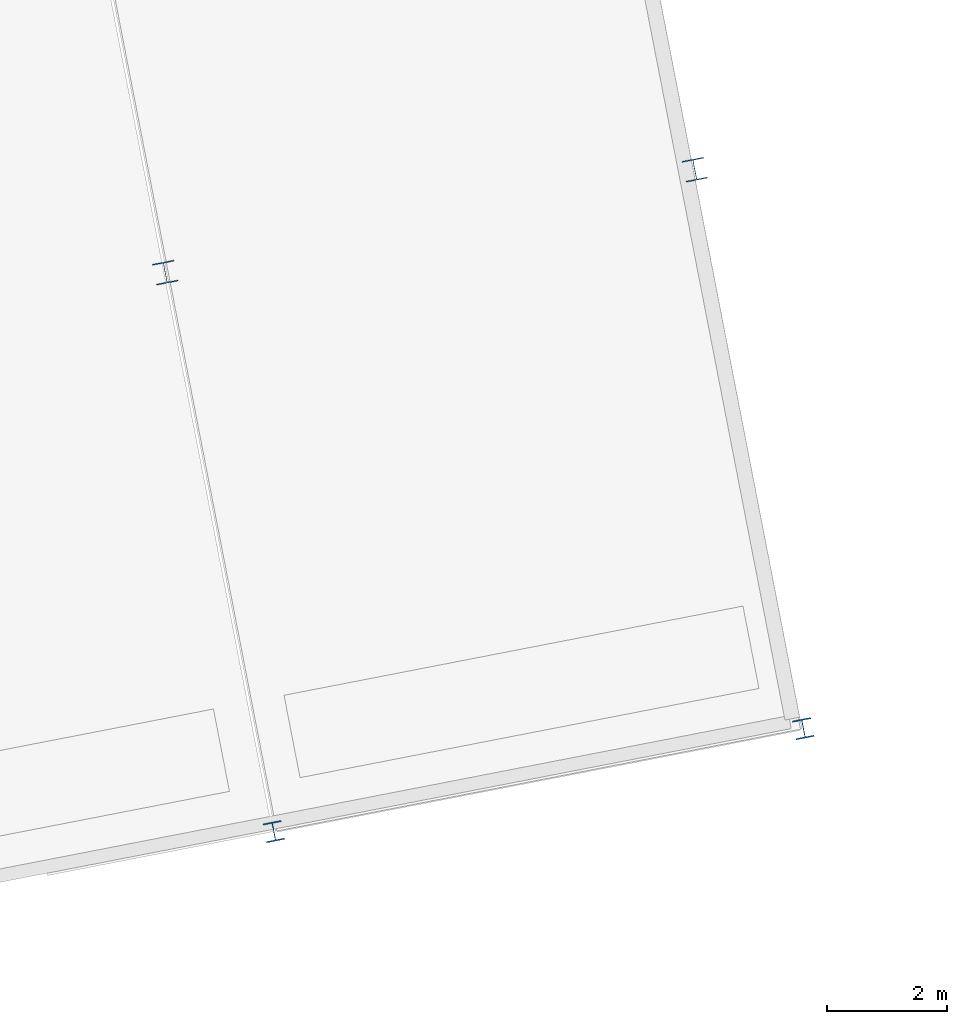
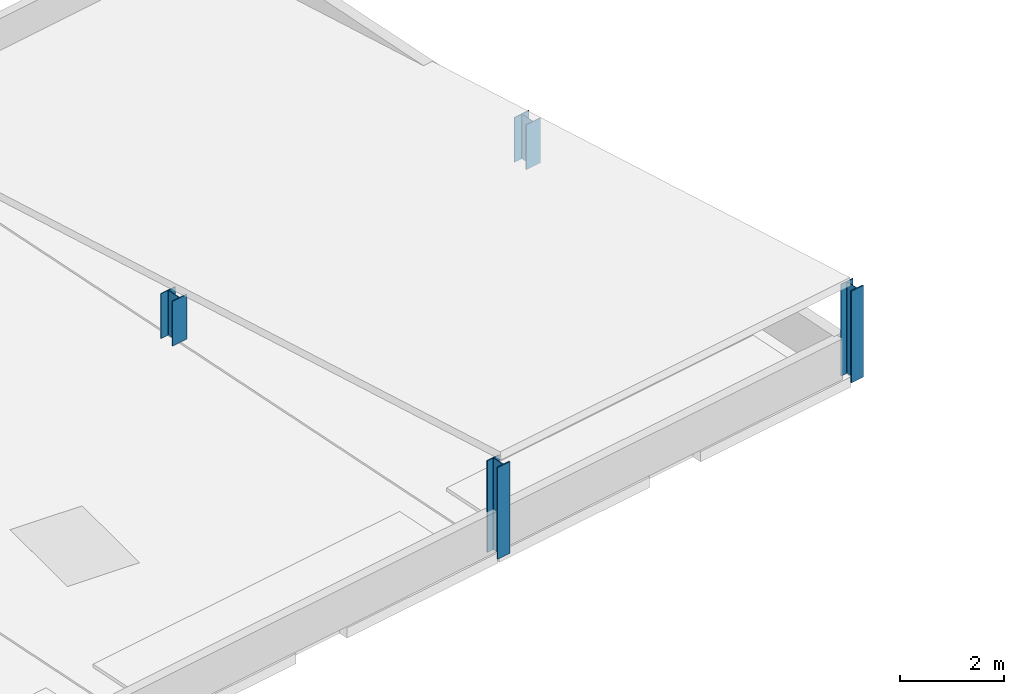
# One storey, part 1 of 59: 4 columns.
"""IFC4 building model written with IfcOpenShell, lengths in metres."""

import ifcopenshell
import ifcopenshell.guid

model = None  # the IFC model being written
_history = None  # IfcOwnerHistory: only IFC2X3 demands one
_inside = {}  # id of a spatial element -> (the spatial element, [elements in it])
_under = {}  # id of a project, library or spatial element -> (it, [spatial elements below it])
_declared = {}  # id of a project -> (the project, [libraries it declares])
_typed = {}  # id of a type object -> (the type object, [elements of that type])
_made_of = {}  # id of a material, layer set ... -> (it, [elements and type objects made of it])


def new_model(schema):
    """Start an empty IFC model of exactly this schema.

    Asked for "IFC4X3", IfcOpenShell would pick the latest addendum, in which some entities
    have other attributes; the version numbers below select the first issue.
    IFC2X3 requires an IfcOwnerHistory on every rooted entity: one is made here for all.
    """
    global model, _history
    if schema == "IFC4X3":
        model = ifcopenshell.file(schema_version=(4, 3, 0, 0))
    else:
        model = ifcopenshell.file(schema=schema)
    _inside.clear()
    _under.clear()
    _declared.clear()
    _typed.clear()
    _made_of.clear()
    _history = None
    if model.schema == "IFC2X3":
        org = make("IfcOrganization", Name="unknown")
        user = make(
            "IfcPersonAndOrganization",
            ThePerson=make("IfcPerson", FamilyName="unknown"),
            TheOrganization=org,
        )
        app = make(
            "IfcApplication",
            ApplicationDeveloper=org,
            Version="unknown",
            ApplicationFullName="unknown",
            ApplicationIdentifier="unknown",
        )
        _history = make(
            "IfcOwnerHistory",
            OwningUser=user,
            OwningApplication=app,
            ChangeAction="ADDED",
            CreationDate=0,
        )
    return model


def make(cls, **values):
    """One entity of the class cls with the attributes given. An attribute that is None is left unset."""
    return model.create_entity(
        cls, **{name: value for name, value in values.items() if value is not None}
    )


def rooted(cls, **values):
    """An entity with a GlobalId (a new one), such as an element, a storey or a relation."""
    return make(cls, GlobalId=ifcopenshell.guid.new(), OwnerHistory=_history, **values)


def si_unit(unit_type, name, prefix=None):
    """IfcSIUnit, for example si_unit("LENGTHUNIT", "METRE", prefix="MILLI")."""
    return make("IfcSIUnit", UnitType=unit_type, Prefix=prefix, Name=name)


def assignment(units):
    """IfcUnitAssignment: the units of a project."""
    return None if units is None else make("IfcUnitAssignment", Units=units)


def point(xyz):
    """IfcCartesianPoint."""
    return None if xyz is None else make("IfcCartesianPoint", Coordinates=xyz)


def direction(xyz):
    """IfcDirection."""
    return None if xyz is None else make("IfcDirection", DirectionRatios=xyz)


def frame(location, z_axis=None, x_axis=None):
    """IfcAxis2Placement3D, a coordinate frame: its origin and axes. An axis left out is left unset."""
    return make(
        "IfcAxis2Placement3D",
        Location=point(location),
        Axis=direction(z_axis),
        RefDirection=direction(x_axis),
    )


def frame_2d(location, x_axis=None):
    """IfcAxis2Placement2D, a coordinate frame in the plane: its origin and x axis."""
    return make(
        "IfcAxis2Placement2D", Location=point(location), RefDirection=direction(x_axis)
    )


def origin():
    """The frame at (0, 0, 0) with its axes left unset."""
    return frame((0.0, 0.0, 0.0))


def origin_2d():
    """The frame at (0, 0) in the plane with its x axis left unset."""
    return frame_2d((0.0, 0.0))


def place(relative_to, where):
    """IfcLocalPlacement: puts the frame where relative to a parent placement (None: the world)."""
    return make(
        "IfcLocalPlacement", PlacementRelTo=relative_to, RelativePlacement=where
    )


def context(
    kind, dimensions, precision=None, world=None, true_north=None, identifier=None
):
    """IfcGeometricRepresentationContext, for example the 3D "Model" context."""
    return make(
        "IfcGeometricRepresentationContext",
        ContextIdentifier=identifier,
        ContextType=kind,
        CoordinateSpaceDimension=dimensions,
        Precision=precision,
        WorldCoordinateSystem=world,
        TrueNorth=true_north,
    )


def subcontext(parent, identifier, kind, view, scale=None):
    """IfcGeometricRepresentationSubContext, for example "Body" below "Model"."""
    return make(
        "IfcGeometricRepresentationSubContext",
        ContextIdentifier=identifier,
        ContextType=kind,
        ParentContext=parent,
        TargetScale=scale,
        TargetView=view,
    )


def project(units=None, contexts=None):
    """IfcProject with its units and contexts."""
    return rooted(
        "IfcProject",
        Name="project",
        RepresentationContexts=contexts,
        UnitsInContext=assignment(units),
    )


def spatial(cls, under=None, at=None, **own):
    """A site, building, storey or space (cls), placed at a placement, below another one or the project."""
    s = rooted(cls, ObjectPlacement=at, **own)
    if under is not None:
        _under.setdefault(under.id(), (under, []))[1].append(s)
    return s


def profile(cls, at=None, kind="AREA", **sizes):
    """A parametric profile (cls). Its sizes go by their IFC names, for example OverallWidth=200.0."""
    return make(cls, ProfileType=kind, Position=at, **sizes)


def i_section(**sizes):
    """IfcIShapeProfileDef."""
    return profile("IfcIShapeProfileDef", **sizes)


def extrude(swept, where, along, depth):
    """IfcExtrudedAreaSolid: the profile swept, set in the frame where, extruded along a direction by depth."""
    return make(
        "IfcExtrudedAreaSolid",
        SweptArea=swept,
        Position=where,
        ExtrudedDirection=direction(along),
        Depth=depth,
    )


def shape(context_of_items, identifier, shape_type, items):
    """IfcShapeRepresentation: the items that make up one representation, for example the "Body"."""
    return make(
        "IfcShapeRepresentation",
        ContextOfItems=context_of_items,
        RepresentationIdentifier=identifier,
        RepresentationType=shape_type,
        Items=items,
    )


def material(Name=None, Category=None):
    """IfcMaterial."""
    return make("IfcMaterial", Name=Name, Category=Category)


def material_profile(
    of_material, cross_section, Name=None, Category=None, Priority=None
):
    """IfcMaterialProfile: a cross section and its material."""
    return make(
        "IfcMaterialProfile",
        Name=Name,
        Material=of_material,
        Profile=cross_section,
        Priority=Priority,
        Category=Category,
    )


def profile_set(profiles, Name=None, composite=None):
    """IfcMaterialProfileSet."""
    return make(
        "IfcMaterialProfileSet",
        Name=Name,
        MaterialProfiles=profiles,
        CompositeProfile=composite,
    )


def made_of(thing, what):
    """Note that an element or type object is made of a material, layer set ...; save() writes the relation."""
    if what is not None:
        _made_of.setdefault(what.id(), (what, []))[1].append(thing)
    return thing


def type_object(cls, material=None, **own):
    """A type object (cls), such as IfcWallType, which elements share."""
    return made_of(rooted(cls, **own), material)


def element(
    cls,
    number,
    at=None,
    inside=None,
    cuts=None,
    type_object=None,
    material=None,
    context=None,
    identifier="Body",
    shape_type=None,
    held_by="IfcProductDefinitionShape",
    body=None,
    shapes=None,
    **own,
):
    """One element of the class cls, such as IfcWall. Its Tag is "e" and its number.

    at: its placement. inside: the storey or other place that contains it. cuts: it is an
    opening in that element (IfcRelVoidsElement). A single representation is given by context,
    identifier, shape_type and body (its items); several are given by shapes. held_by: the class
    of the entity that holds the representations. save() writes the other relations.
    """
    e = rooted(cls, Tag="e%d" % number, ObjectPlacement=at, **own)
    if body is not None:
        shapes = [shape(context, identifier, shape_type, body)]
    if shapes is not None:
        e.Representation = make(held_by, Representations=shapes)
    if inside is not None:
        _inside.setdefault(inside.id(), (inside, []))[1].append(e)
    if cuts is not None:
        rooted(
            "IfcRelVoidsElement", RelatingBuildingElement=cuts, RelatedOpeningElement=e
        )
    if type_object is not None:
        _typed.setdefault(type_object.id(), (type_object, []))[1].append(e)
    return made_of(e, material)


def aggregate(whole, parts):
    """IfcRelAggregates: a whole, such as a stair, and the parts it consists of."""
    return rooted("IfcRelAggregates", RelatingObject=whole, RelatedObjects=parts)


def save(model, path):
    """Write the relations noted so far, then the file.

    IfcRelAggregates (storeys below a building ...), IfcRelContainedInSpatialStructure (elements
    in a storey), IfcRelDefinesByType, IfcRelAssociatesMaterial and IfcRelDeclares: one each for
    every whole, place, type object, material and project.
    """
    for whole, parts in _under.values():
        aggregate(whole, parts)
    for where, things in _inside.values():
        rooted(
            "IfcRelContainedInSpatialStructure",
            RelatedElements=things,
            RelatingStructure=where,
        )
    for kind, things in _typed.values():
        rooted("IfcRelDefinesByType", RelatedObjects=things, RelatingType=kind)
    for what, things in _made_of.values():
        rooted("IfcRelAssociatesMaterial", RelatedObjects=things, RelatingMaterial=what)
    for by, libraries in _declared.values():
        rooted("IfcRelDeclares", RelatingContext=by, RelatedDefinitions=libraries)
    model.write(path)


model = new_model("IFC4")

# Units and contexts
model_context = context("Model", 3, precision=1e-05, world=origin(), true_north=direction((0.0, 1.0)))
body_context = subcontext(model_context, "Body", "Model", "MODEL_VIEW")
ifc_project = project(units=[si_unit("LENGTHUNIT", "METRE"), si_unit("AREAUNIT", "SQUARE_METRE"), si_unit("VOLUMEUNIT", "CUBIC_METRE"), si_unit("PLANEANGLEUNIT", "RADIAN"), si_unit("MASSUNIT", "GRAM", prefix="KILO")], contexts=[model_context])

# Site, building, storey
site_placement = place(None, origin())
site = spatial("IfcSite", under=ifc_project, at=site_placement, CompositionType="ELEMENT")
building_placement = place(site_placement, origin())
building = spatial("IfcBuilding", under=site, at=building_placement, Name="Vireo Bluff Cable Station", CompositionType="ELEMENT")
storey_placement = place(building_placement, frame((0.0, 0.0, 14.39990234375)))
storey = spatial("IfcBuildingStorey", under=building, at=storey_placement, Name="L03", CompositionType="ELEMENT", Elevation=14.39990234375)

# Columns
ifc_material = material(Name="Steel ASTM A992 Gr. 50", Category="steel")
ifc_material_profile_1 = material_profile(ifc_material, i_section(OverallWidth=0.367919921875, OverallDepth=0.35595703125, WebThickness=0.01123046875, FlangeThickness=0.01806640625, FilletRadius=0.014892578125, at=origin_2d()), Name="W14X90")
ifc_profile_set_1 = profile_set([ifc_material_profile_1], Name="Steel ASTM A992 Gr. 50")
column_type_1 = type_object("IfcColumnType", Name="COL-W14X90", PredefinedType="COLUMN", material=ifc_profile_set_1)
for number, where, z_axis, x_axis, name in (
    (1, (25.356689453125, 18.260009765625, 0.0), (0.0, 0.0, 1.0), (0.981627183448, 0.190808995377, 0.0), "V5 prow interior post 18"),
    (2, (34.191162109375, 19.977294921875, 0.0), (0.0, 0.0, 1.0), (0.981627183448, 0.190808995377, 0.0), "V5 prow interior post 27"),
):
    element("IfcColumn", number, at=place(storey_placement, frame(where, z_axis=z_axis, x_axis=x_axis)), inside=storey, type_object=column_type_1, Name=name, PredefinedType="COLUMN", context=body_context, shape_type="SweptSolid", body=[
        extrude(i_section(OverallWidth=0.367919921875, OverallDepth=0.35595703125, WebThickness=0.01123046875, FlangeThickness=0.01806640625, FilletRadius=0.014892578125, at=origin_2d()), origin(), (0.0, 0.0, 1.0), 1.050048828125),
    ])
ifc_material_profile_2 = material_profile(ifc_material, i_section(OverallWidth=0.30908203125, OverallDepth=0.322998046875, WebThickness=0.013916015625, FlangeThickness=0.02294921875, FilletRadius=0.012939453125, at=origin_2d()), Name="W12X96")
ifc_profile_set_2 = profile_set([ifc_material_profile_2], Name="Steel ASTM A992 Gr. 50")
column_type_2 = type_object("IfcColumnType", Name="ECOL-W12X96", PredefinedType="COLUMN", material=ifc_profile_set_2)
for number, where, z_axis, x_axis, name in (
    (3, (27.169189453125, 8.9345703125, 0.0), (0.0, 0.0, 1.0), (0.981627183448, 0.190808995377, 0.0), "V5 prow clerestory post 18"),
    (4, (36.00390625, 10.65185546875, 0.0), (0.0, 0.0, 1.0), (0.981627183448, 0.190808995377, 0.0), "V5 prow clerestory post 27"),
):
    element("IfcColumn", number, at=place(storey_placement, frame(where, z_axis=z_axis, x_axis=x_axis)), inside=storey, type_object=column_type_2, Name=name, PredefinedType="COLUMN", context=body_context, shape_type="SweptSolid", body=[
        extrude(i_section(OverallWidth=0.30908203125, OverallDepth=0.322998046875, WebThickness=0.013916015625, FlangeThickness=0.02294921875, FilletRadius=0.012939453125, at=origin_2d()), origin(), (0.0, 0.0, 1.0), 2.150146484375),
    ])

save(model, "model.ifc")
